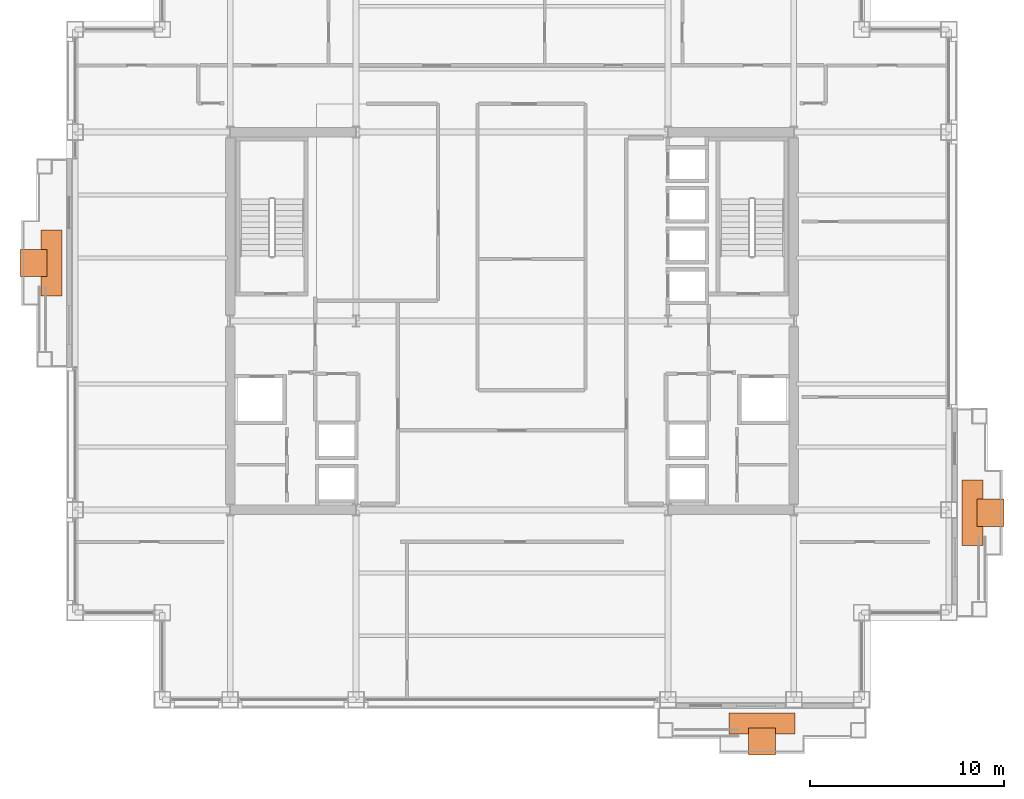
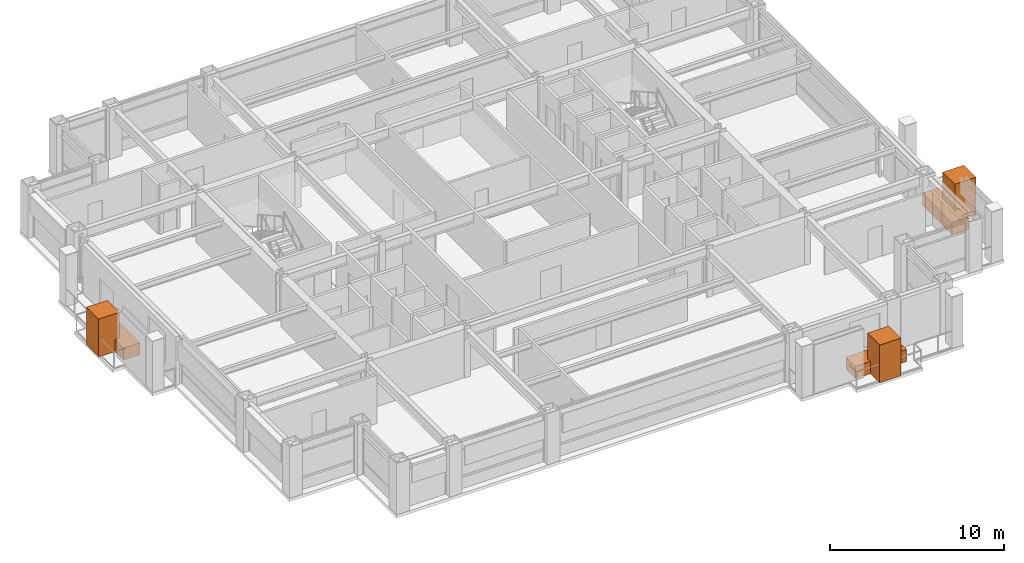
# One storey, part 30 of 30: 6 proxies.
"""IFC4 building model written with IfcOpenShell, lengths in metres."""

from ifc_helpers import new_model, si_unit, direction, frame, origin, origin_2d, place, context, subcontext, project, spatial, rectangle, extrude, material, type_object, element, save


model = new_model("IFC4")

# Units and contexts
model_context = context("Model", 3, precision=1e-05, world=origin(), true_north=direction((0.0, 1.0)))
body_context = subcontext(model_context, "Body", "Model", "MODEL_VIEW")
ifc_project = project(units=[si_unit("LENGTHUNIT", "METRE"), si_unit("AREAUNIT", "SQUARE_METRE"), si_unit("VOLUMEUNIT", "CUBIC_METRE"), si_unit("PLANEANGLEUNIT", "RADIAN"), si_unit("MASSUNIT", "GRAM", prefix="KILO")], contexts=[model_context])

# Site, building, storey
site_placement = place(None, origin())
site = spatial("IfcSite", under=ifc_project, at=site_placement, CompositionType="ELEMENT")
building_placement = place(site_placement, origin())
building = spatial("IfcBuilding", under=site, at=building_placement, Name="Brelmoor Portico Tower", CompositionType="ELEMENT")
storey_placement = place(building_placement, frame((0.0, 0.0, 102.60009765625)))
storey = spatial("IfcBuildingStorey", under=building, at=storey_placement, Name="L26", CompositionType="ELEMENT", Elevation=102.60009765625)

# Proxies
ifc_material_1 = material(Name="Planted Canopy Tree and Soil Rootball", Category="other")
building_element_proxy_type_1 = type_object("IfcBuildingElementProxyType", Name="BALCONY TREE ARBOR", PredefinedType="USERDEFINED", material=ifc_material_1)
for number, where, z_axis, x_axis, name in (
    (1, (12.89990234375, -21.699951171875, 0.0), (0.0, 0.0, 1.0), (1.0, 0.0, 0.0), "L26 Balcony PLANTER Tree Canopy Arbor S"),
    (2, (24.699951171875, -9.89990234375, 0.0), (0.0, 0.0, 1.0), (1.0, 0.0, 0.0), "L26 Balcony PLANTER Tree Canopy Arbor E"),
    (3, (-24.699951171875, 3.0, 0.0), (0.0, 0.0, 1.0), (1.0, 0.0, 0.0), "L26 Balcony PLANTER Tree Canopy Arbor W"),
):
    element("IfcBuildingElementProxy", number, at=place(storey_placement, frame(where, z_axis=z_axis, x_axis=x_axis)), inside=storey, type_object=building_element_proxy_type_1, Name=name, ObjectType="PLANTER", PredefinedType="USERDEFINED", context=body_context, shape_type="SweptSolid", body=[
        extrude(rectangle(XDim=1.39990234375, YDim=1.39990234375, at=origin_2d()), origin(), (0.0, 0.0, 1.0), 2.64990234375),
    ])
ifc_material_2 = material(Name="Architectural Precast Concrete C40", Category="concrete")
building_element_proxy_type_2 = type_object("IfcBuildingElementProxyType", Name="TREE PLANTER", PredefinedType="USERDEFINED", material=ifc_material_2)
for number, where, z_axis, x_axis, name in (
    (4, (12.89990234375, -20.77490234375, -0.000244140625), (0.0, 0.0, 1.0), (1.0, 0.0, 0.0), "L26 Planted Tree Planter S"),
    (5, (23.77490234375, -9.89990234375, -0.000244140625), (0.0, 0.0, 1.0), (0.0, 1.0, 0.0), "L26 Planted Tree Planter E"),
    (6, (-23.77490234375, 3.0, -0.000244140625), (0.0, 0.0, 1.0), (0.0, 1.0, 0.0), "L26 Planted Tree Planter W"),
):
    element("IfcBuildingElementProxy", number, at=place(storey_placement, frame(where, z_axis=z_axis, x_axis=x_axis)), inside=storey, type_object=building_element_proxy_type_2, Name=name, ObjectType="PLANTER", PredefinedType="USERDEFINED", context=body_context, shape_type="SweptSolid", body=[
        extrude(rectangle(XDim=3.39990234375, YDim=1.10009765625, at=origin_2d()), origin(), (0.0, 0.0, 1.0), 0.85009765625),
    ])

save(model, "model.ifc")
